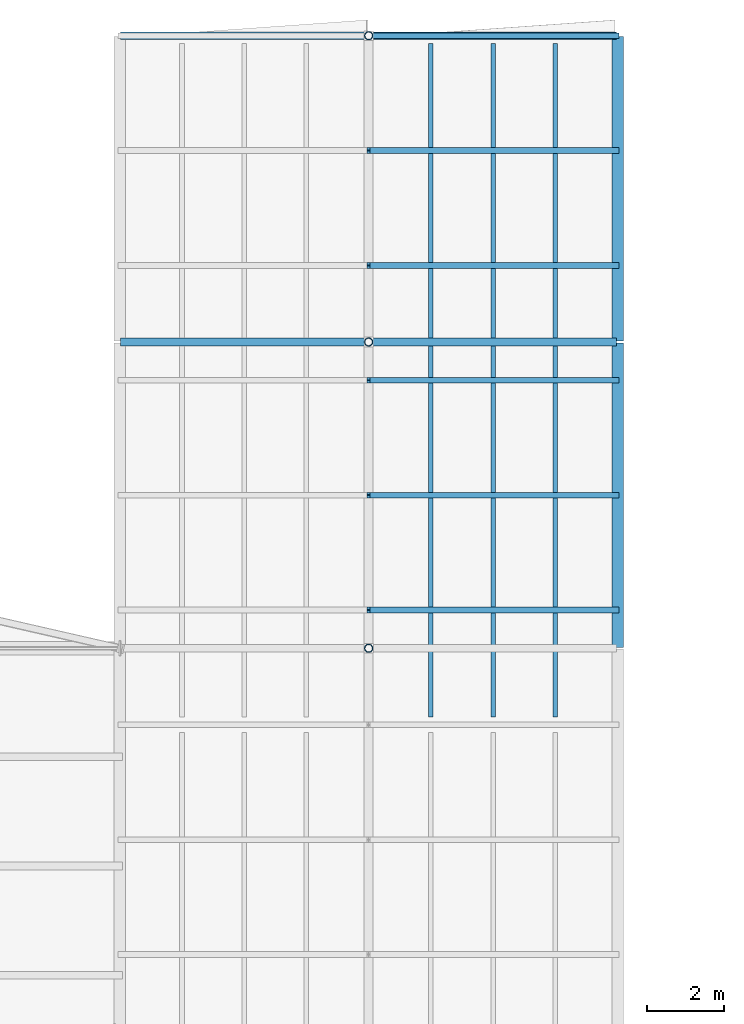
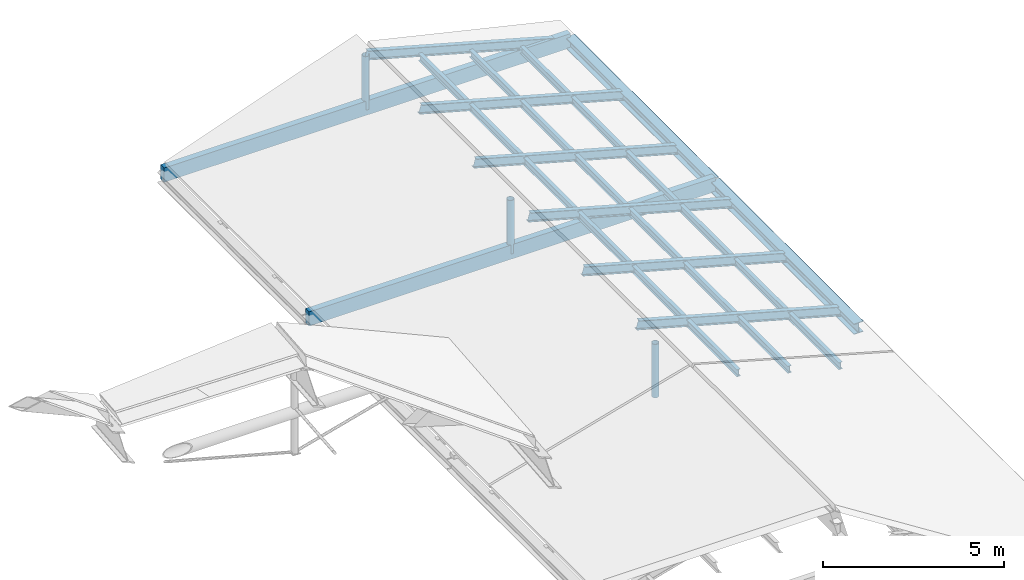
# One storey, part 73 of 90: 12 members, 4 beams.
"""IFC4 building model written with IfcOpenShell, lengths in metres."""

from ifc_helpers import new_model, si_unit, direction, frame, origin, origin_2d, place, context, subcontext, project, spatial, rectangle, hollow_circle, i_section, extrude, material, material_profile, profile_set, type_object, element, save


model = new_model("IFC4")

# Units and contexts
model_context = context("Model", 3, precision=1e-05, world=origin(), true_north=direction((0.0, 1.0)))
body_context = subcontext(model_context, "Body", "Model", "MODEL_VIEW")
ifc_project = project(units=[si_unit("LENGTHUNIT", "METRE"), si_unit("AREAUNIT", "SQUARE_METRE"), si_unit("VOLUMEUNIT", "CUBIC_METRE"), si_unit("PLANEANGLEUNIT", "RADIAN"), si_unit("MASSUNIT", "GRAM", prefix="KILO"), si_unit("THERMODYNAMICTEMPERATUREUNIT", "KELVIN"), si_unit("POWERUNIT", "WATT")], contexts=[model_context])

# Site, building, storey
site_placement = place(None, origin())
site = spatial("IfcSite", under=ifc_project, at=site_placement, CompositionType="ELEMENT")
building_placement = place(site_placement, origin())
building = spatial("IfcBuilding", under=site, at=building_placement, Name="Korenveer Ferry Terminal", CompositionType="ELEMENT")
storey_placement = place(building_placement, frame((0.0, 0.0, 22.199951171875)))
storey = spatial("IfcBuildingStorey", under=building, at=storey_placement, Name="RF", CompositionType="ELEMENT", Elevation=22.199951171875)

# Beams
ifc_material_1 = material(Name="Steel S355", Category="steel")
ifc_material_profile_1 = material_profile(ifc_material_1, i_section(OverallWidth=0.300048828125, OverallDepth=0.360107421875, WebThickness=0.012451171875, FlangeThickness=0.0224609375, FilletRadius=0.027099609375, at=origin_2d()), Name="HEB 360")
ifc_profile_set_1 = profile_set([ifc_material_profile_1], Name="Steel S355")
beam_type_1 = type_object("IfcBeamType", Name="STR-BM-HEB360", PredefinedType="BEAM", material=ifc_profile_set_1)
for number, where, z_axis, x_axis, name in (
    (1, (136.0, 100.02001953125, -7.619873046875), (0.0, 1.0, 0.0), (-1.0, 0.0, 0.0), "Wing eave beam PIERE 211"),
    (2, (136.0, 108.02001953125, -7.619873046875), (0.0, 1.0, 0.0), (-1.0, 0.0, 0.0), "Wing eave beam PIERE 212"),
):
    element("IfcBeam", number, at=place(storey_placement, frame(where, z_axis=z_axis, x_axis=x_axis)), inside=storey, type_object=beam_type_1, Name=name, PredefinedType="BEAM", context=body_context, shape_type="SweptSolid", body=[
        extrude(i_section(OverallWidth=0.300048828125, OverallDepth=0.360107421875, WebThickness=0.012451171875, FlangeThickness=0.0224609375, FilletRadius=0.027099609375, at=origin_2d()), origin(), (0.0, 0.0, 1.0), 7.9599609375),
    ])

# Members
ifc_material_profile_2 = material_profile(ifc_material_1, i_section(OverallWidth=0.1201171875, OverallDepth=0.239990234375, WebThickness=0.006103515625, FlangeThickness=0.009765625, FilletRadius=0.014892578125, at=origin_2d()), Name="IPE 240")
ifc_profile_set_2 = profile_set([ifc_material_profile_2], Name="Steel S355")
member_type_1 = type_object("IfcMemberType", Name="STR-PUR-IPE240", PredefinedType="PURLIN", material=ifc_profile_set_2)
for number, where, z_axis, x_axis, name in (
    (3, (131.125, 98.199951171875, -6.329833984375), (0.0, 1.0, 0.0), (-1.0, 0.0, 0.0), "Pitched wing roof steel purlin 320"),
    (4, (132.75, 98.199951171875, -6.780029296875), (0.0, 1.0, 0.0), (-1.0, 0.0, 0.0), "Pitched wing roof steel purlin 322"),
    (5, (134.375, 98.199951171875, -7.22998046875), (0.0, 1.0, 0.0), (-1.0, 0.0, 0.0), "Pitched wing roof steel purlin 324"),
):
    element("IfcMember", number, at=place(storey_placement, frame(where, z_axis=z_axis, x_axis=x_axis)), inside=storey, type_object=member_type_1, Name=name, PredefinedType="PURLIN", context=body_context, shape_type="SweptSolid", body=[
        extrude(i_section(OverallWidth=0.1201171875, OverallDepth=0.239990234375, WebThickness=0.006103515625, FlangeThickness=0.009765625, FilletRadius=0.014892578125, at=origin_2d()), origin(), (0.0, 0.0, 1.0), 17.60009765625),
    ])
ifc_material_profile_3 = material_profile(ifc_material_1, i_section(OverallWidth=0.14990234375, OverallDepth=0.300048828125, WebThickness=0.007080078125, FlangeThickness=0.0107421875, FilletRadius=0.014892578125, at=origin_2d()), Name="IPE 300")
ifc_profile_set_3 = profile_set([ifc_material_profile_3], Name="Steel S355")
member_type_2 = type_object("IfcMemberType", Name="STR-RAF-IPE300", PredefinedType="RAFTER", material=ifc_profile_set_3)
for number, where, z_axis, x_axis, name in (
    (6, (129.5, 101.0, -5.820068359375), (0.963737469599, 0.0, -0.26685218697), (0.0, 1.0, 0.0), "Pitched roof rafter 170"),
    (7, (129.5, 104.0, -5.820068359375), (0.963737469599, 0.0, -0.26685218697), (0.0, 1.0, 0.0), "Pitched roof rafter 172"),
    (8, (129.5, 107.0, -5.820068359375), (0.963737469599, 0.0, -0.26685218697), (0.0, 1.0, 0.0), "Pitched roof rafter 174"),
    (9, (129.5, 110.0, -5.820068359375), (0.963737469599, 0.0, -0.26685218697), (0.0, 1.0, 0.0), "Pitched roof rafter 176"),
    (10, (129.5, 113.0, -5.820068359375), (0.963737469599, 0.0, -0.26685218697), (0.0, 1.0, 0.0), "Pitched roof rafter 178"),
    (11, (129.5, 116.0, -5.820068359375), (0.963737469599, 0.0, -0.26685218697), (0.0, 1.0, 0.0), "Pitched roof rafter 180"),
):
    element("IfcMember", number, at=place(storey_placement, frame(where, z_axis=z_axis, x_axis=x_axis)), inside=storey, type_object=member_type_2, Name=name, PredefinedType="RAFTER", context=body_context, shape_type="SweptSolid", body=[
        extrude(i_section(OverallWidth=0.14990234375, OverallDepth=0.300048828125, WebThickness=0.007080078125, FlangeThickness=0.0107421875, FilletRadius=0.014892578125, at=origin_2d()), origin(), (0.0, 0.0, 1.0), 6.74462890625),
    ])

# Beams
ifc_material_2 = material(Name="Glulam GL28h", Category="wood")
ifc_material_profile_4 = material_profile(ifc_material_2, rectangle(XDim=0.199951171875, YDim=0.47998046875, at=origin_2d()), Name="GL 200x480")
ifc_profile_set_4 = profile_set([ifc_material_profile_4], Name="Glulam GL28h")
beam_type_2 = type_object("IfcBeamType", Name="STR-RFG-GL200", PredefinedType="USERDEFINED", material=ifc_profile_set_4)
for number, where, z_axis, x_axis, name in (
    (12, (123.02001953125, 108.0, -7.56005859375), (1.0, 0.0, 0.0), (0.0, 1.0, 0.0), "Wing roof collar tie PIERE 217"),
    (13, (123.02001953125, 116.0, -7.56005859375), (1.0, 0.0, 0.0), (0.0, 1.0, 0.0), "Wing roof collar tie PIERE 218"),
):
    element("IfcBeam", number, at=place(storey_placement, frame(where, z_axis=z_axis, x_axis=x_axis)), inside=storey, type_object=beam_type_2, Name=name, ObjectType="ROOF GIRDER", PredefinedType="USERDEFINED", context=body_context, shape_type="SweptSolid", body=[
        extrude(rectangle(XDim=0.199951171875, YDim=0.47998046875, at=origin_2d()), origin(), (0.0, 0.0, 1.0), 12.9599609375),
    ])

# Members
ifc_material_profile_5 = material_profile(ifc_material_1, hollow_circle(Radius=0.109619140625, WallThickness=0.012451171875, at=origin_2d()), Name="CHS 219.1x12.5")
ifc_profile_set_5 = profile_set([ifc_material_profile_5], Name="Steel S355")
member_type_3 = type_object("IfcMemberType", Name="STR-STT-CHS219", PredefinedType="STRUT", material=ifc_profile_set_5)
for number, where, z_axis, x_axis, name in (
    (14, (129.5, 100.0, -7.619873046875), (0.0, 0.0, 1.0), (1.0, 0.0, 0.0), "Wing ridge strut STTWR-PIERE-Y100"),
    (15, (129.5, 108.0, -7.619873046875), (0.0, 0.0, 1.0), (1.0, 0.0, 0.0), "Wing ridge strut STTWR-PIERE-Y108"),
    (16, (129.5, 116.0, -7.619873046875), (0.0, 0.0, 1.0), (1.0, 0.0, 0.0), "Wing ridge strut STTWR-PIERE-Y116"),
):
    element("IfcMember", number, at=place(storey_placement, frame(where, z_axis=z_axis, x_axis=x_axis)), inside=storey, type_object=member_type_3, Name=name, PredefinedType="STRUT", context=body_context, shape_type="SweptSolid", body=[
        extrude(hollow_circle(Radius=0.109619140625, WallThickness=0.012451171875, at=origin_2d()), origin(), (0.0, 0.0, 1.0), 1.7998046875),
    ])

save(model, "model.ifc")
